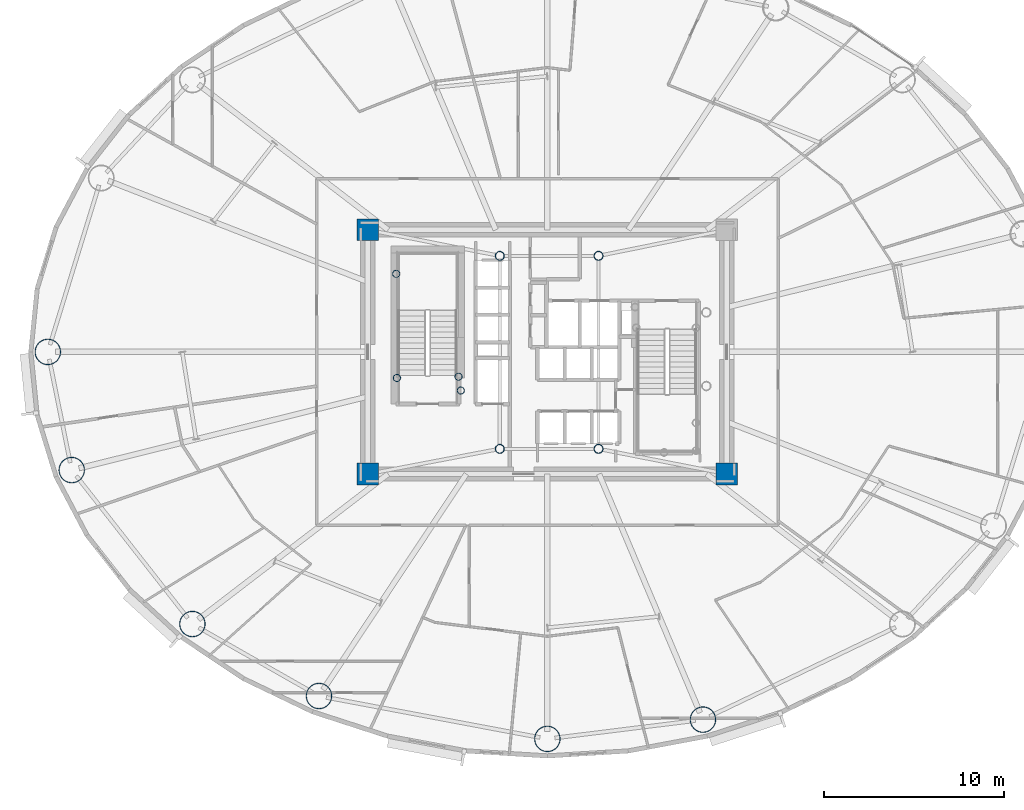
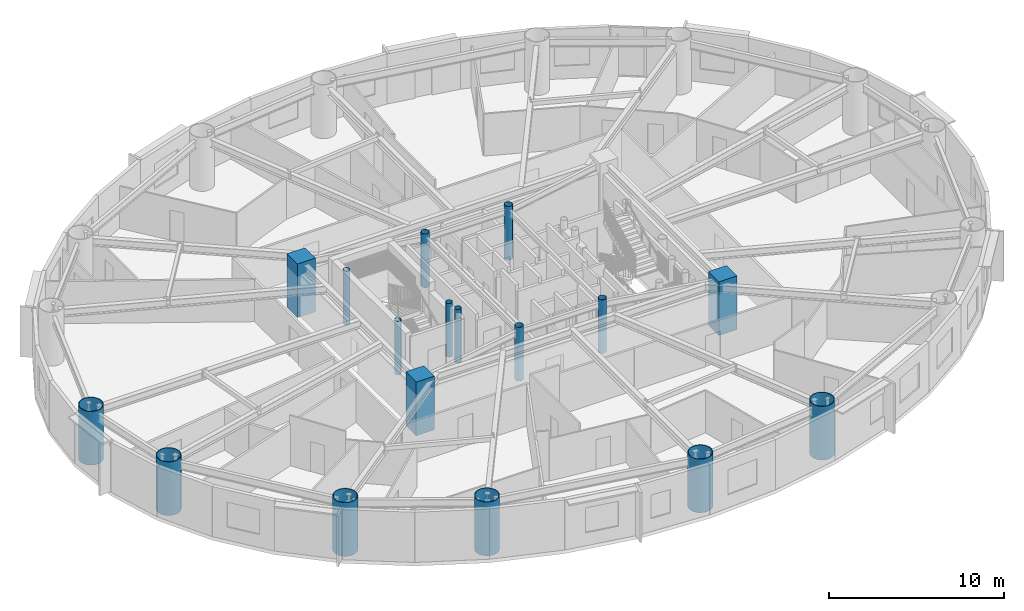
# One storey, part 1 of 21: 17 columns.
"""IFC4 building model written with IfcOpenShell, lengths in metres."""

from ifc_helpers import new_model, si_unit, direction, frame, origin, origin_2d, place, context, subcontext, project, spatial, rectangle, hollow_circle, extrude, material, material_profile, profile_set, type_object, element, save


model = new_model("IFC4")

# Units and contexts
model_context = context("Model", 3, precision=1e-05, world=origin(), true_north=direction((0.0, 1.0)))
body_context = subcontext(model_context, "Body", "Model", "MODEL_VIEW")
ifc_project = project(units=[si_unit("LENGTHUNIT", "METRE"), si_unit("AREAUNIT", "SQUARE_METRE"), si_unit("VOLUMEUNIT", "CUBIC_METRE"), si_unit("PLANEANGLEUNIT", "RADIAN"), si_unit("MASSUNIT", "GRAM", prefix="KILO")], contexts=[model_context])

# Site, building, storey
site_placement = place(None, origin())
site = spatial("IfcSite", under=ifc_project, at=site_placement, CompositionType="ELEMENT")
building_placement = place(site_placement, origin())
building = spatial("IfcBuilding", under=site, at=building_placement, Name="Linh Dai School and Residence Tower", CompositionType="ELEMENT")
storey_placement = place(building_placement, frame((0.0, 0.0, 134.699951171875)))
storey = spatial("IfcBuildingStorey", under=building, at=storey_placement, Name="L32", CompositionType="ELEMENT", Elevation=134.699951171875)

# Columns
ifc_material_1 = material(Name="Concrete B60 (C50/60)", Category="concrete")
ifc_material_profile_1 = material_profile(ifc_material_1, rectangle(XDim=1.199951171875, YDim=1.199951171875, at=origin_2d()), Name="RC 1200x1200")
ifc_profile_set_1 = profile_set([ifc_material_profile_1], Name="Concrete B60 (C50/60)")
column_type_1 = type_object("IfcColumnType", Name="COL-CC2", PredefinedType="COLUMN", material=ifc_profile_set_1)
for number, where, z_axis, x_axis, name in (
    (1, (26.0, 20.199951171875, 0.0), (0.0, 0.0, 1.0), (1.0, 0.0, 0.0), "L32 Core Corner Pier CC1"),
    (2, (46.0, 20.199951171875, 0.0), (0.0, 0.0, 1.0), (1.0, 0.0, 0.0), "L32 Core Corner Pier CC2"),
    (3, (26.0, 33.800048828125, 0.0), (0.0, 0.0, 1.0), (1.0, 0.0, 0.0), "L32 Core Corner Pier CC4"),
):
    element("IfcColumn", number, at=place(storey_placement, frame(where, z_axis=z_axis, x_axis=x_axis)), inside=storey, type_object=column_type_1, Name=name, PredefinedType="COLUMN", context=body_context, shape_type="SweptSolid", body=[
        extrude(rectangle(XDim=1.199951171875, YDim=1.199951171875, at=origin_2d()), origin(), (0.0, 0.0, 1.0), 3.75),
    ])
ifc_material_2 = material(Name="Structural Steel S355JR", Category="steel")
ifc_material_profile_2 = material_profile(ifc_material_2, hollow_circle(Radius=0.203125, WallThickness=0.01611328125, at=origin_2d()), Name="CHS 406.4x16")
ifc_profile_set_2 = profile_set([ifc_material_profile_2], Name="Structural Steel S355JR")
column_type_2 = type_object("IfcColumnType", Name="COL-EC", PredefinedType="COLUMN", material=ifc_profile_set_2)
for number, where, z_axis, x_axis, name in (
    (4, (27.580078125, 31.35009765625, 0.0), (0.0, 0.0, 1.0), (1.0, 0.0, 0.0), "L32 Stair Shaft Landing Support Pier ST1NW"),
    (5, (31.050048828125, 25.6201171875, 0.0), (0.0, 0.0, 1.0), (1.0, 0.0, 0.0), "L32 Stair Shaft Landing Support Pier ST1SE"),
    (6, (31.179931640625, 24.85009765625, 0.0), (0.0, 0.0, 1.0), (1.0, 0.0, 0.0), "L32 Stair Shaft Landing Support Pier ST1SM"),
    (7, (27.6201171875, 25.550048828125, 0.0), (0.0, 0.0, 1.0), (1.0, 0.0, 0.0), "L32 Stair Shaft Landing Support Pier ST1SW"),
):
    element("IfcColumn", number, at=place(storey_placement, frame(where, z_axis=z_axis, x_axis=x_axis)), inside=storey, type_object=column_type_2, Name=name, PredefinedType="COLUMN", context=body_context, shape_type="SweptSolid", body=[
        extrude(hollow_circle(Radius=0.203125, WallThickness=0.01611328125, at=origin_2d()), origin(), (0.0, 0.0, 1.0), 3.75),
    ])
ifc_material_profile_3 = material_profile(ifc_material_2, hollow_circle(Radius=0.72509765625, WallThickness=0.0419921875, at=origin_2d()), Name="CHS 1450x42")
ifc_profile_set_3 = profile_set([ifc_material_profile_3], Name="Structural Steel S355JR")
column_type_3 = type_object("IfcColumnType", Name="COL-MC3", PredefinedType="COLUMN", material=ifc_profile_set_3)
for number, where, z_axis, x_axis, name in (
    (8, (8.175048828125, 27.0, 0.0), (0.0, 0.0, 1.0), (1.0, 0.0, 0.0), "L32 Perimeter CFT Mega-Column MC09"),
    (9, (9.50732421875, 20.4189453125, 0.0), (0.0, 0.0, 1.0), (1.0, 0.0, 0.0), "L32 Perimeter CFT Mega-Column MC10"),
    (10, (16.227294921875, 11.844482421875, 0.0), (0.0, 0.0, 1.0), (1.0, 0.0, 0.0), "L32 Perimeter CFT Mega-Column MC11"),
    (11, (23.278076171875, 7.8349609375, 0.0), (0.0, 0.0, 1.0), (1.0, 0.0, 0.0), "L32 Perimeter CFT Mega-Column MC12"),
    (12, (36.0, 5.445068359375, 0.0), (0.0, 0.0, 1.0), (1.0, 0.0, 0.0), "L32 Perimeter CFT Mega-Column MC13"),
    (13, (44.66552734375, 6.519287109375, 0.0), (0.0, 0.0, 1.0), (1.0, 0.0, 0.0), "L32 Perimeter CFT Mega-Column MC14"),
):
    element("IfcColumn", number, at=place(storey_placement, frame(where, z_axis=z_axis, x_axis=x_axis)), inside=storey, type_object=column_type_3, Name=name, PredefinedType="COLUMN", context=body_context, shape_type="SweptSolid", body=[
        extrude(hollow_circle(Radius=0.72509765625, WallThickness=0.0419921875, at=origin_2d()), origin(), (0.0, 0.0, 1.0), 3.75),
    ])
ifc_material_profile_4 = material_profile(ifc_material_2, hollow_circle(Radius=0.25390625, WallThickness=0.02001953125, at=origin_2d()), Name="CHS 508x20")
ifc_profile_set_4 = profile_set([ifc_material_profile_4], Name="Structural Steel S355JR")
column_type_4 = type_object("IfcColumnType", Name="COL-MCP", PredefinedType="COLUMN", material=ifc_profile_set_4)
for number, where, z_axis, x_axis, name in (
    (14, (33.35009765625, 21.60009765625, 0.0), (0.0, 0.0, 1.0), (1.0, 0.0, 0.0), "L32 Core Mast Support Pier MCP1"),
    (15, (38.85009765625, 21.60009765625, 0.0), (0.0, 0.0, 1.0), (1.0, 0.0, 0.0), "L32 Core Mast Support Pier MCP2"),
    (16, (38.85009765625, 32.35009765625, 0.0), (0.0, 0.0, 1.0), (1.0, 0.0, 0.0), "L32 Core Mast Support Pier MCP3"),
    (17, (33.35009765625, 32.35009765625, 0.0), (0.0, 0.0, 1.0), (1.0, 0.0, 0.0), "L32 Core Mast Support Pier MCP4"),
):
    element("IfcColumn", number, at=place(storey_placement, frame(where, z_axis=z_axis, x_axis=x_axis)), inside=storey, type_object=column_type_4, Name=name, PredefinedType="COLUMN", context=body_context, shape_type="SweptSolid", body=[
        extrude(hollow_circle(Radius=0.25390625, WallThickness=0.02001953125, at=origin_2d()), origin(), (0.0, 0.0, 1.0), 3.75),
    ])

save(model, "model.ifc")
